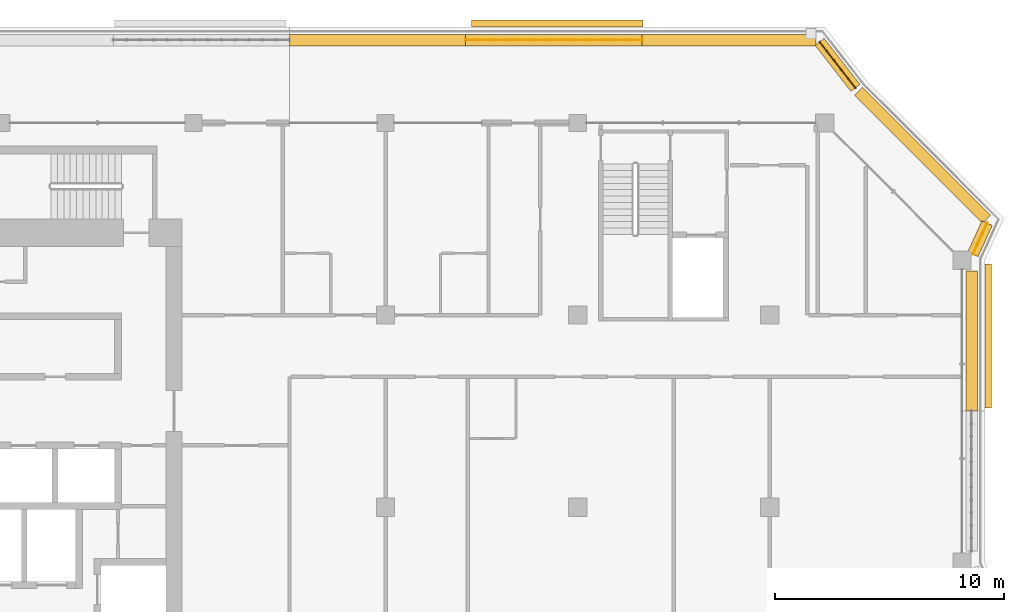
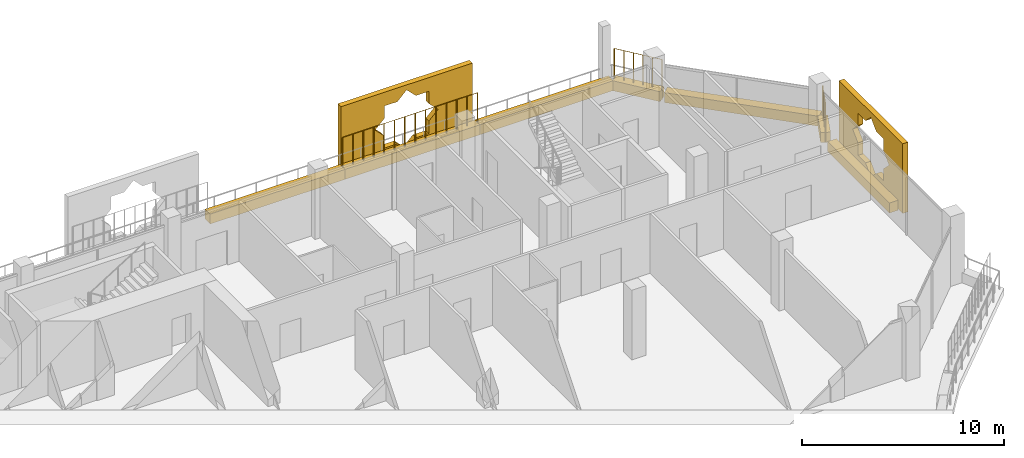
# One storey, part 21 of 21: 9 coverings, 3 railings.
"""IFC4 building model written with IfcOpenShell, lengths in metres."""

from ifc_helpers import new_model, si_unit, direction, frame, origin, origin_2d, place, context, subcontext, project, spatial, polyline, rectangle, circle, outline, extrude, material, material_profile, profile_set, type_object, element, save


model = new_model("IFC4")

# Units and contexts
model_context = context("Model", 3, precision=1e-05, world=origin(), true_north=direction((0.0, 1.0)))
body_context = subcontext(model_context, "Body", "Model", "MODEL_VIEW")
ifc_project = project(units=[si_unit("LENGTHUNIT", "METRE"), si_unit("AREAUNIT", "SQUARE_METRE"), si_unit("VOLUMEUNIT", "CUBIC_METRE"), si_unit("PLANEANGLEUNIT", "RADIAN"), si_unit("MASSUNIT", "GRAM", prefix="KILO")], contexts=[model_context])

# Site, building, storey
site_placement = place(None, origin())
site = spatial("IfcSite", under=ifc_project, at=site_placement, CompositionType="ELEMENT")
building_placement = place(site_placement, origin())
building = spatial("IfcBuilding", under=site, at=building_placement, Name="Kawkab Arch Medical Tower", CompositionType="ELEMENT")
storey_placement = place(building_placement, frame((0.0, 0.0, 307.0)))
storey = spatial("IfcBuildingStorey", under=building, at=storey_placement, Name="L71", CompositionType="ELEMENT", Elevation=307.0)

# Coverings
ifc_material_1 = material(Name="Bronze anodised aluminium mashrabiya panel, eight-point star pattern", Category="aluminium")
ifc_material_profile_1 = material_profile(ifc_material_1, outline(polyline([(-3.14990234375, -2.10009765625), (3.14990234375, -2.10009765625), (3.14990234375, 2.10009765625), (-3.14990234375, 2.10009765625), (-3.14990234375, -2.10009765625)]), holes=[polyline([(1.800048828125, 0.0), (1.272705078125, 0.527099609375), (1.272705078125, 1.272705078125), (0.527099609375, 1.272705078125), (0.0, 1.800048828125), (-0.527099609375, 1.272705078125), (-1.272705078125, 1.272705078125), (-1.272705078125, 0.527099609375), (-1.800048828125, 0.0), (-1.272705078125, -0.527099609375), (-1.272705078125, -1.272705078125), (-0.527099609375, -1.272705078125), (0.0, -1.800048828125), (0.527099609375, -1.272705078125), (1.272705078125, -1.272705078125), (1.272705078125, -0.527099609375), (1.800048828125, 0.0)])]), Name="Mashrabiya panel 6300x4200")
ifc_profile_set_1 = profile_set([ifc_material_profile_1], Name="Bronze anodised aluminium mashrabiya panel, eight-point star pattern")
covering_type_1 = type_object("IfcCoveringType", Name="Mashrabiya panel 6300 x 4200", PredefinedType="USERDEFINED", material=ifc_profile_set_1)
covering_1_placement = place(storey_placement, frame((59.800048828125, -9.31884765625, 1.699951171875), z_axis=(1.0, 0.0, 0.0), x_axis=(0.0, 1.0, 0.0)))
element("IfcCovering", 1, at=covering_1_placement, inside=storey, type_object=covering_type_1, Name="Mashrabiya panel L71.LOG-01-01.6", ObjectType="SCREEN", PredefinedType="USERDEFINED", context=body_context, shape_type="SweptSolid", body=[
    extrude(outline(polyline([(-3.14990234375, -2.10009765625), (3.14990234375, -2.10009765625), (3.14990234375, 2.10009765625), (-3.14990234375, 2.10009765625), (-3.14990234375, -2.10009765625)]), holes=[polyline([(1.800048828125, 0.0), (1.272705078125, 0.527099609375), (1.272705078125, 1.272705078125), (0.527099609375, 1.272705078125), (0.0, 1.800048828125), (-0.527099609375, 1.272705078125), (-1.272705078125, 1.272705078125), (-1.272705078125, 0.527099609375), (-1.800048828125, 0.0), (-1.272705078125, -0.527099609375), (-1.272705078125, -1.272705078125), (-0.527099609375, -1.272705078125), (0.0, -1.800048828125), (0.527099609375, -1.272705078125), (1.272705078125, -1.272705078125), (1.272705078125, -0.527099609375), (1.800048828125, 0.0)])]), origin(), (0.0, 0.0, 1.0), 0.300048828125),
])
ifc_material_2 = material(Name="Bronze anodised aluminium mashrabiya panel, eight-point star pattern", Category="aluminium")
ifc_material_profile_2 = material_profile(ifc_material_2, outline(polyline([(-3.75, -2.10009765625), (3.75, -2.10009765625), (3.75, 2.10009765625), (-3.75, 2.10009765625), (-3.75, -2.10009765625)]), holes=[polyline([(1.800048828125, 0.0), (1.272705078125, 0.527099609375), (1.272705078125, 1.272705078125), (0.527099609375, 1.272705078125), (0.0, 1.800048828125), (-0.527099609375, 1.272705078125), (-1.272705078125, 1.272705078125), (-1.272705078125, 0.527099609375), (-1.800048828125, 0.0), (-1.272705078125, -0.527099609375), (-1.272705078125, -1.272705078125), (-0.527099609375, -1.272705078125), (0.0, -1.800048828125), (0.527099609375, -1.272705078125), (1.272705078125, -1.272705078125), (1.272705078125, -0.527099609375), (1.800048828125, 0.0)])]), Name="Mashrabiya panel 7500x4200")
ifc_profile_set_2 = profile_set([ifc_material_profile_2], Name="Bronze anodised aluminium mashrabiya panel, eight-point star pattern")
covering_type_2 = type_object("IfcCoveringType", Name="Mashrabiya panel 7500 x 4200", PredefinedType="USERDEFINED", material=ifc_profile_set_2)
covering_2_placement = place(storey_placement, frame((41.09765625, 4.199951171875, 1.699951171875), z_axis=(0.0, 1.0, 0.0), x_axis=(-1.0, 0.0, 0.0)))
element("IfcCovering", 2, at=covering_2_placement, inside=storey, type_object=covering_type_2, Name="Mashrabiya panel L71.LOG-01-01.5", ObjectType="SCREEN", PredefinedType="USERDEFINED", context=body_context, shape_type="SweptSolid", body=[
    extrude(outline(polyline([(-3.75, -2.10009765625), (3.75, -2.10009765625), (3.75, 2.10009765625), (-3.75, 2.10009765625), (-3.75, -2.10009765625)]), holes=[polyline([(1.800048828125, 0.0), (1.272705078125, 0.527099609375), (1.272705078125, 1.272705078125), (0.527099609375, 1.272705078125), (0.0, 1.800048828125), (-0.527099609375, 1.272705078125), (-1.272705078125, 1.272705078125), (-1.272705078125, 0.527099609375), (-1.800048828125, 0.0), (-1.272705078125, -0.527099609375), (-1.272705078125, -1.272705078125), (-0.527099609375, -1.272705078125), (0.0, -1.800048828125), (0.527099609375, -1.272705078125), (1.272705078125, -1.272705078125), (1.272705078125, -0.527099609375), (1.800048828125, 0.0)])]), origin(), (0.0, 0.0, 1.0), 0.300048828125),
])
ifc_material_3 = material(Name="Planting soil in a precast trough", Category="concrete")
ifc_material_profile_3 = material_profile(ifc_material_3, rectangle(XDim=0.5, YDim=0.60009765625, at=origin_2d()), Name="Trough 500x600")
ifc_profile_set_3 = profile_set([ifc_material_profile_3], Name="Planting soil in a precast trough")
covering_type_3 = type_object("IfcCoveringType", Name="Planter trough 500 x 600", PredefinedType="USERDEFINED", material=ifc_profile_set_3)
covering_3_placement = place(storey_placement, frame((29.39990234375, 3.6201171875, 0.300048828125), z_axis=(1.0, 0.0, 0.0), x_axis=(0.0, 1.0, 0.0)))
element("IfcCovering", 3, at=covering_3_placement, inside=storey, type_object=covering_type_3, Name="Planter L71.LOG-01-01.16", ObjectType="PLANTER", PredefinedType="USERDEFINED", context=body_context, shape_type="SweptSolid", body=[
    extrude(rectangle(XDim=0.5, YDim=0.60009765625, at=origin_2d()), origin(), (0.0, 0.0, 1.0), 7.705078125),
])
covering_4_placement = place(storey_placement, frame((37.10498046875, 3.6201171875, 0.300048828125), z_axis=(1.0, 0.0, 0.0), x_axis=(0.0, 1.0, 0.0)))
element("IfcCovering", 4, at=covering_4_placement, inside=storey, type_object=covering_type_3, Name="Planter L71.LOG-01-01.17", ObjectType="PLANTER", PredefinedType="USERDEFINED", context=body_context, shape_type="SweptSolid", body=[
    extrude(rectangle(XDim=0.5, YDim=0.60009765625, at=origin_2d()), origin(), (0.0, 0.0, 1.0), 7.7060546875),
])
covering_5_placement = place(storey_placement, frame((44.81103515625, 3.6201171875, 0.300048828125), z_axis=(1.0, 0.0, 0.0), x_axis=(0.0, 1.0, 0.0)))
element("IfcCovering", 5, at=covering_5_placement, inside=storey, type_object=covering_type_3, Name="Planter L71.LOG-01-01.18", ObjectType="PLANTER", PredefinedType="USERDEFINED", context=body_context, shape_type="SweptSolid", body=[
    extrude(rectangle(XDim=0.5, YDim=0.60009765625, at=origin_2d()), origin(), (0.0, 0.0, 1.0), 7.60498046875),
])
covering_6_placement = place(storey_placement, frame((52.577880859375, 3.541015625, 0.300048828125), z_axis=(0.614099956103, -0.789228258436, 0.0), x_axis=(0.789228258436, 0.614099956103, 0.0)))
element("IfcCovering", 6, at=covering_6_placement, inside=storey, type_object=covering_type_3, Name="Planter L71.LOG-01-01.19", ObjectType="PLANTER", PredefinedType="USERDEFINED", context=body_context, shape_type="SweptSolid", body=[
    extrude(rectangle(XDim=0.5, YDim=0.60009765625, at=origin_2d()), origin(), (0.0, 0.0, 1.0), 2.545654296875),
])
covering_7_placement = place(storey_placement, frame((54.27294921875, 1.383056640625, 0.300048828125), z_axis=(0.707106781187, -0.707106781187, 0.0), x_axis=(0.707106781187, 0.707106781187, 0.0)))
element("IfcCovering", 7, at=covering_7_placement, inside=storey, type_object=covering_type_3, Name="Planter L71.LOG-01-01.20", ObjectType="PLANTER", PredefinedType="USERDEFINED", context=body_context, shape_type="SweptSolid", body=[
    extrude(rectangle(XDim=0.5, YDim=0.60009765625, at=origin_2d()), origin(), (0.0, 0.0, 1.0), 7.919677734375),
])
covering_8_placement = place(storey_placement, frame((59.902099609375, -4.37890625, 0.300048828125), z_axis=(-0.415189748133, -0.909734836667, 0.0), x_axis=(0.909734836667, -0.415189748133, 0.0)))
element("IfcCovering", 8, at=covering_8_placement, inside=storey, type_object=covering_type_3, Name="Planter L71.LOG-01-01.21", ObjectType="PLANTER", PredefinedType="USERDEFINED", context=body_context, shape_type="SweptSolid", body=[
    extrude(rectangle(XDim=0.5, YDim=0.60009765625, at=origin_2d()), origin(), (0.0, 0.0, 1.0), 1.498291015625),
])
covering_9_placement = place(storey_placement, frame((59.219970703125, -6.47998046875, 0.300048828125), z_axis=(0.0, -1.0, 0.0), x_axis=(1.0, 0.0, 0.0)))
element("IfcCovering", 9, at=covering_9_placement, inside=storey, type_object=covering_type_3, Name="Planter L71.LOG-01-01.22", ObjectType="PLANTER", PredefinedType="USERDEFINED", context=body_context, shape_type="SweptSolid", body=[
    extrude(rectangle(XDim=0.5, YDim=0.60009765625, at=origin_2d()), origin(), (0.0, 0.0, 1.0), 6.1201171875),
])

# Railings
ifc_material_4 = material(Name="Bronze anodised aluminium trellis for climbing plants", Category="aluminium")
railing_type = type_object("IfcRailingType", Name="Planting trellis 2400", PredefinedType="USERDEFINED", material=ifc_material_4)
railing_1_placement = place(storey_placement, frame((37.10498046875, 3.6201171875, 0.0)))
element("IfcRailing", 10, at=railing_1_placement, inside=storey, type_object=railing_type, Name="Planting trellis L71.LOG-01-01.17", ObjectType="TRELLIS", PredefinedType="USERDEFINED", context=body_context, shape_type="SweptSolid", body=[
    extrude(circle(Radius=0.01513671875, at=origin_2d()), frame((0.0, 0.0, 2.384765625), z_axis=(1.0, 0.0, 0.0), x_axis=(0.0, 1.0, 0.0)), (0.0, 0.0, 1.0), 7.7060546875),
    extrude(circle(Radius=0.030029296875, at=origin_2d()), origin(), (0.0, 0.0, 1.0), 2.369873046875),
    extrude(circle(Radius=0.030029296875, at=origin_2d()), frame((0.5927734375, 0.0, 0.0)), (0.0, 0.0, 1.0), 2.369873046875),
    extrude(circle(Radius=0.030029296875, at=origin_2d()), frame((1.185546875, 0.0, 0.0)), (0.0, 0.0, 1.0), 2.369873046875),
    extrude(circle(Radius=0.030029296875, at=origin_2d()), frame((1.7783203125, 0.0, 0.0)), (0.0, 0.0, 1.0), 2.369873046875),
    extrude(circle(Radius=0.030029296875, at=origin_2d()), frame((2.37109375, 0.0, 0.0)), (0.0, 0.0, 1.0), 2.369873046875),
    extrude(circle(Radius=0.030029296875, at=origin_2d()), frame((2.9638671875, 0.0, 0.0)), (0.0, 0.0, 1.0), 2.369873046875),
    extrude(circle(Radius=0.030029296875, at=origin_2d()), frame((3.556640625, 0.0, 0.0)), (0.0, 0.0, 1.0), 2.369873046875),
    extrude(circle(Radius=0.030029296875, at=origin_2d()), frame((4.1494140625, 0.0, 0.0)), (0.0, 0.0, 1.0), 2.369873046875),
    extrude(circle(Radius=0.030029296875, at=origin_2d()), frame((4.7421875, 0.0, 0.0)), (0.0, 0.0, 1.0), 2.369873046875),
    extrude(circle(Radius=0.030029296875, at=origin_2d()), frame((5.3349609375, 0.0, 0.0)), (0.0, 0.0, 1.0), 2.369873046875),
    extrude(circle(Radius=0.030029296875, at=origin_2d()), frame((5.927734375, 0.0, 0.0)), (0.0, 0.0, 1.0), 2.369873046875),
    extrude(circle(Radius=0.030029296875, at=origin_2d()), frame((6.5205078125, 0.0, 0.0)), (0.0, 0.0, 1.0), 2.369873046875),
    extrude(circle(Radius=0.030029296875, at=origin_2d()), frame((7.11328125, 0.0, 0.0)), (0.0, 0.0, 1.0), 2.369873046875),
    extrude(circle(Radius=0.030029296875, at=origin_2d()), frame((7.7060546875, 0.0, 0.0)), (0.0, 0.0, 1.0), 2.369873046875),
])
railing_2_placement = place(storey_placement, frame((52.577880859375, 3.541015625, 0.0)))
element("IfcRailing", 11, at=railing_2_placement, inside=storey, type_object=railing_type, Name="Planting trellis L71.LOG-01-01.19", ObjectType="TRELLIS", PredefinedType="USERDEFINED", context=body_context, shape_type="SweptSolid", body=[
    extrude(circle(Radius=0.01513671875, at=origin_2d()), frame((0.0, 0.0, 2.384765625), z_axis=(0.614099956103, -0.789228258436, 0.0), x_axis=(0.789228258436, 0.614099956103, 0.0)), (0.0, 0.0, 1.0), 2.545654296875),
    extrude(circle(Radius=0.030029296875, at=origin_2d()), origin(), (0.0, 0.0, 1.0), 2.369873046875),
    extrude(circle(Radius=0.030029296875, at=origin_2d()), frame((0.312744140625, -0.40185546875, 0.0)), (0.0, 0.0, 1.0), 2.369873046875),
    extrude(circle(Radius=0.030029296875, at=origin_2d()), frame((0.625244140625, -0.8037109375, 0.0)), (0.0, 0.0, 1.0), 2.369873046875),
    extrude(circle(Radius=0.030029296875, at=origin_2d()), frame((0.93798828125, -1.205322265625, 0.0)), (0.0, 0.0, 1.0), 2.369873046875),
    extrude(circle(Radius=0.030029296875, at=origin_2d()), frame((1.25048828125, -1.607177734375, 0.0)), (0.0, 0.0, 1.0), 2.369873046875),
    extrude(circle(Radius=0.030029296875, at=origin_2d()), frame((1.563232421875, -2.009033203125, 0.0)), (0.0, 0.0, 1.0), 2.369873046875),
])
railing_3_placement = place(storey_placement, frame((59.902099609375, -4.37890625, 0.0)))
element("IfcRailing", 12, at=railing_3_placement, inside=storey, type_object=railing_type, Name="Planting trellis L71.LOG-01-01.21", ObjectType="TRELLIS", PredefinedType="USERDEFINED", context=body_context, shape_type="SweptSolid", body=[
    extrude(circle(Radius=0.01513671875, at=origin_2d()), frame((0.0, 0.0, 2.384765625), z_axis=(-0.415189748133, -0.909734836667, 0.0), x_axis=(0.909734836667, -0.415189748133, 0.0)), (0.0, 0.0, 1.0), 1.498291015625),
    extrude(circle(Radius=0.030029296875, at=origin_2d()), origin(), (0.0, 0.0, 1.0), 2.369873046875),
    extrude(circle(Radius=0.030029296875, at=origin_2d()), frame((-0.207275390625, -0.454345703125, 0.0)), (0.0, 0.0, 1.0), 2.369873046875),
    extrude(circle(Radius=0.030029296875, at=origin_2d()), frame((-0.414794921875, -0.90869140625, 0.0)), (0.0, 0.0, 1.0), 2.369873046875),
    extrude(circle(Radius=0.030029296875, at=origin_2d()), frame((-0.6220703125, -1.363037109375, 0.0)), (0.0, 0.0, 1.0), 2.369873046875),
])

save(model, "model.ifc")
